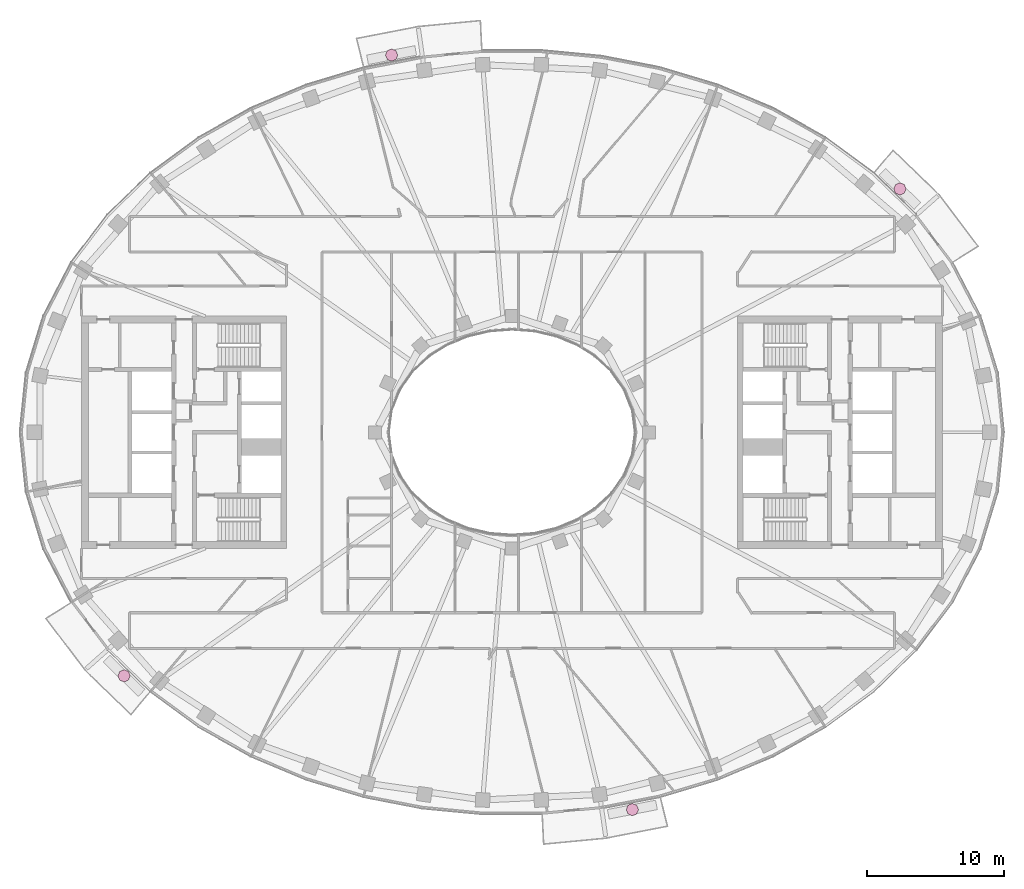
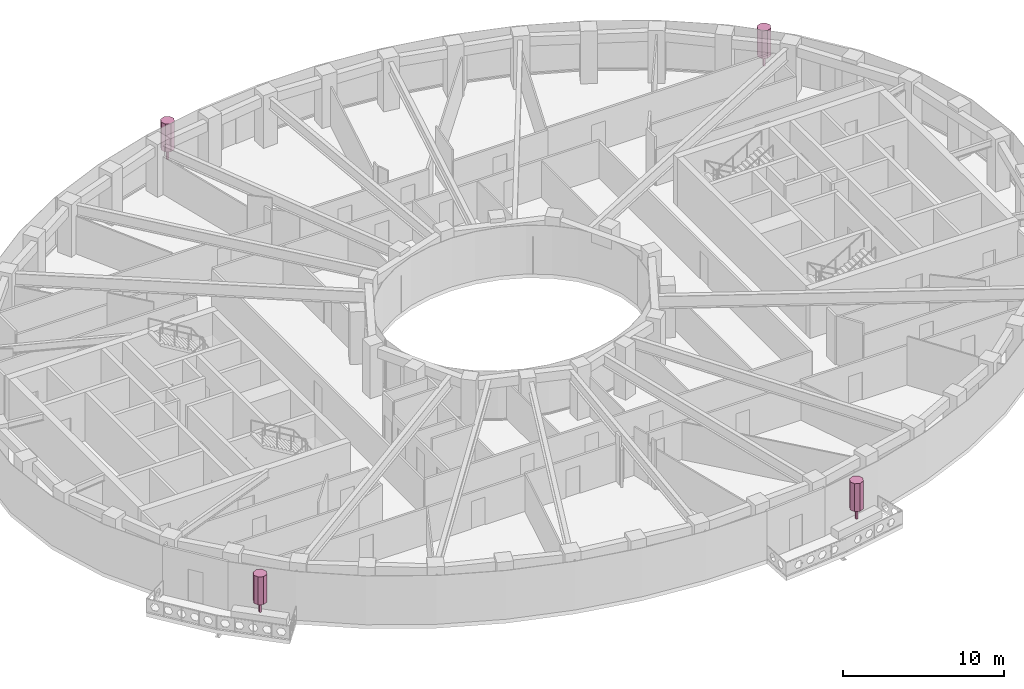
# One storey, part 17 of 17: 4 furnishings.
"""IFC4 building model written with IfcOpenShell, lengths in metres."""

from ifc_helpers import new_model, si_unit, direction, frame, origin, origin_2d, place, context, subcontext, project, spatial, polyline, rectangle, outline, extrude, material, type_object, element, save


model = new_model("IFC4")

# Units and contexts
model_context = context("Model", 3, precision=1e-05, world=origin(), true_north=direction((0.0, 1.0)))
body_context = subcontext(model_context, "Body", "Model", "MODEL_VIEW")
ifc_project = project(units=[si_unit("LENGTHUNIT", "METRE"), si_unit("AREAUNIT", "SQUARE_METRE"), si_unit("VOLUMEUNIT", "CUBIC_METRE"), si_unit("PLANEANGLEUNIT", "RADIAN"), si_unit("MASSUNIT", "GRAM", prefix="KILO")], contexts=[model_context])

# Site, building, storey
site_placement = place(None, origin())
site = spatial("IfcSite", under=ifc_project, at=site_placement, CompositionType="ELEMENT")
building_placement = place(site_placement, origin())
building = spatial("IfcBuilding", under=site, at=building_placement, Name="Noorbagh Ring Tower", CompositionType="ELEMENT")
storey_placement = place(building_placement, frame((0.0, 0.0, 269.5)))
storey = spatial("IfcBuildingStorey", under=building, at=storey_placement, Name="L57", CompositionType="ELEMENT", Elevation=269.5)

# Furnishings
ifc_material = material(Name="Planting foliage green")
furnishing_element_type = type_object("IfcFurnishingElementType", Name="ENV-TREE", material=ifc_material)
for number, where, z_axis, x_axis, name in (
    (1, (28.3837890625, 17.814208984375, 0.60009765625), (0.0, 0.0, 1.0), (1.0, 0.0, 0.0), "Tree BN01"),
    (2, (-8.807861328125, 27.603515625, 0.60009765625), (0.0, 0.0, 1.0), (1.0, 0.0, 0.0), "Tree BN04"),
    (3, (-28.3837890625, -17.814208984375, 0.60009765625), (0.0, 0.0, 1.0), (1.0, 0.0, 0.0), "Tree BS01"),
    (4, (8.807861328125, -27.603515625, 0.60009765625), (0.0, 0.0, 1.0), (1.0, 0.0, 0.0), "Tree BS04"),
):
    element("IfcFurnishingElement", number, at=place(storey_placement, frame(where, z_axis=z_axis, x_axis=x_axis)), inside=storey, type_object=furnishing_element_type, Name=name, context=body_context, shape_type="SweptSolid", body=[
        extrude(rectangle(XDim=0.1201171875, YDim=0.1201171875, at=origin_2d()), origin(), (0.0, 0.0, 1.0), 0.825927734375),
        extrude(outline(polyline([(0.449951171875, 0.0), (0.318115234375, 0.318115234375), (0.0, 0.449951171875), (-0.318115234375, 0.318115234375), (-0.449951171875, 0.0), (-0.318115234375, -0.318115234375), (0.0, -0.449951171875), (0.318115234375, -0.318115234375), (0.449951171875, 0.0)])), frame((0.0, 0.0, 0.825927734375)), (0.0, 0.0, 1.0), 2.1240234375),
    ])

save(model, "model.ifc")
